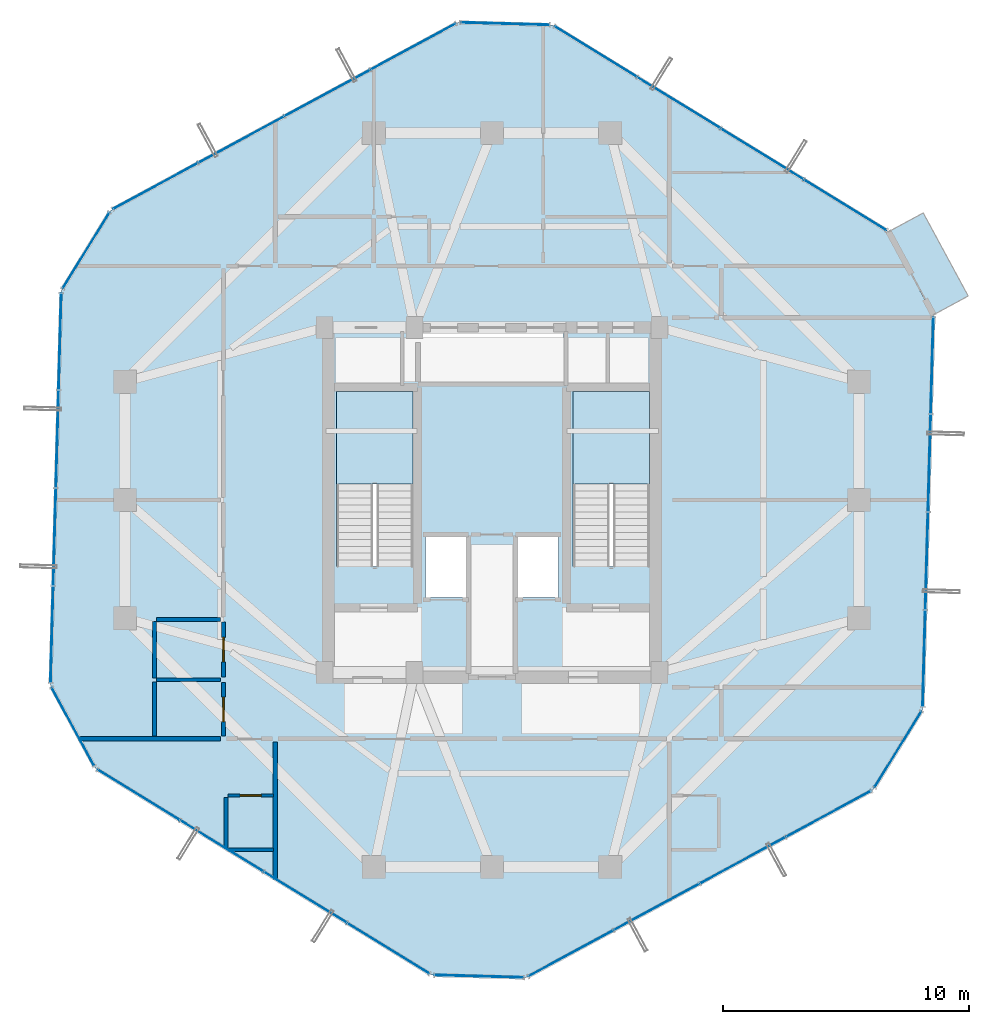
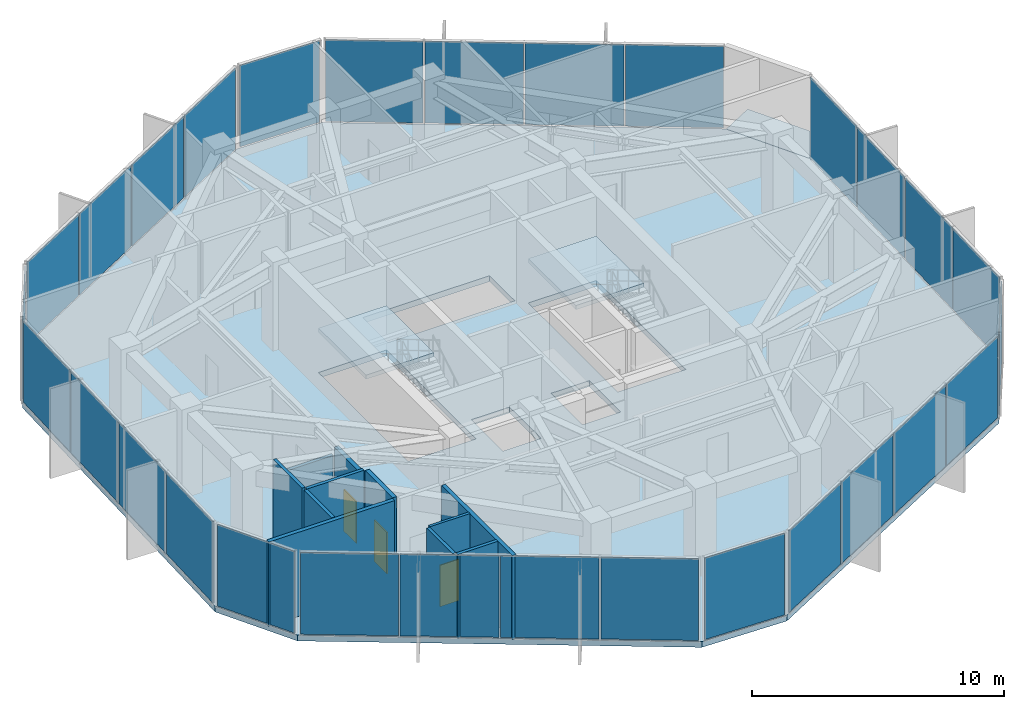
# One storey, part 17 of 22: 29 plates, 11 walls, 4 slabs, 3 doors, 3 openings, 13 elements without a shape of their own.
"""IFC4 building model written with IfcOpenShell, lengths in metres."""

from ifc_helpers import new_model, si_unit, direction, frame, frame_2d, origin, origin_2d, place, context, subcontext, project, spatial, polyline, rectangle, outline, extrude, source, transform, mapped, material, layer, layer_set, type_object, element, fill, aggregate, save


model = new_model("IFC4")

# Units and contexts
model_context = context("Model", 3, precision=1e-05, world=origin(), true_north=direction((0.0, 1.0)))
body_context = subcontext(model_context, "Body", "Model", "MODEL_VIEW")
ifc_project = project(units=[si_unit("LENGTHUNIT", "METRE"), si_unit("AREAUNIT", "SQUARE_METRE"), si_unit("VOLUMEUNIT", "CUBIC_METRE"), si_unit("PLANEANGLEUNIT", "RADIAN"), si_unit("MASSUNIT", "GRAM", prefix="KILO")], contexts=[model_context])

# Site, building, storey
site_placement = place(None, origin())
site = spatial("IfcSite", under=ifc_project, at=site_placement, CompositionType="ELEMENT")
building_placement = place(site_placement, origin())
building = spatial("IfcBuilding", under=site, at=building_placement, Name="Veraguas Prism Commons", CompositionType="ELEMENT")
storey_placement = place(building_placement, frame((0.0, 0.0, 211.35009765625)))
storey = spatial("IfcBuildingStorey", under=building, at=storey_placement, Name="L60", CompositionType="ELEMENT", Elevation=211.35009765625)

# Slab
ifc_material_1 = material(Name="Concrete C45/55", Category="concrete")
ifc_layer_1 = layer(ifc_material_1, 0.280029296875, Name="Community Assembly Floor Slab RC 280", Category="concrete")
ifc_layer_set_1 = layer_set([ifc_layer_1], Name="Concrete C45/55")
slab_type_1 = type_object("IfcSlabType", Name="Community Assembly Floor Slab RC 280", PredefinedType="FLOOR", material=ifc_layer_set_1)
slab_1_placement = place(storey_placement, frame((0.0, 0.0, -0.280029296875)))
element("IfcSlab", 1, at=slab_1_placement, inside=storey, type_object=slab_type_1, Name="Tower Floor Slab L60", PredefinedType="FLOOR", context=body_context, shape_type="SweptSolid", body=[
    extrude(outline(polyline([(41.92431640625, 31.52001953125), (40.099609375, 34.89208984375), (26.44970703125, 43.282958984375), (22.616943359375, 43.388671875), (8.525390625, 35.762939453125), (6.517333984375, 32.49658203125), (6.07568359375, 16.47998046875), (7.900390625, 13.10791015625), (21.55029296875, 4.717041015625), (25.383056640625, 4.611328125), (39.474609375, 12.237060546875), (41.482666015625, 15.50341796875), (41.92431640625, 31.52001953125)]), holes=[polyline([(20.800048828125, 21.31005859375), (20.800048828125, 28.39990234375), (17.68994140625, 28.39990234375), (17.68994140625, 21.31005859375), (20.800048828125, 21.31005859375)]), polyline([(30.39990234375, 21.31005859375), (30.39990234375, 28.39990234375), (27.2900390625, 28.39990234375), (27.2900390625, 21.31005859375), (30.39990234375, 21.31005859375)]), polyline([(21.10009765625, 28.800048828125), (26.89990234375, 28.800048828125), (26.89990234375, 30.800048828125), (21.10009765625, 30.800048828125), (21.10009765625, 28.800048828125)]), polyline([(21.300048828125, 20.050048828125), (23.050048828125, 20.050048828125), (23.050048828125, 22.550048828125), (21.300048828125, 22.550048828125), (21.300048828125, 20.050048828125)]), polyline([(24.949951171875, 20.050048828125), (26.699951171875, 20.050048828125), (26.699951171875, 22.550048828125), (24.949951171875, 22.550048828125), (24.949951171875, 20.050048828125)])]), origin(), (0.0, 0.0, 1.0), 0.280029296875),
])

# Stair, slab
ifc_material_2 = material(Name="Precast concrete C45/55", Category="concrete")
stair_type = type_object("IfcStairType", Name="Dogleg Core Stair 1480W 26R 06", PredefinedType="HALF_TURN_STAIR", material=ifc_material_2)
stair_1_placement = place(storey_placement, origin())
stair_1 = element("IfcStair", 2, at=stair_1_placement, inside=storey, type_object=stair_type, Name="Protected Exit Stair ST-01 L60", PredefinedType="HALF_TURN_STAIR")
ifc_layer_2 = layer(ifc_material_2, 0.199951171875, Name="Precast Stair and Ramp Landing Slab 200", Category="concrete")
ifc_layer_set_2 = layer_set([ifc_layer_2], Name="Precast concrete C45/55")
slab_type_2 = type_object("IfcSlabType", Name="Precast Stair and Ramp Landing Slab 200", PredefinedType="LANDING", material=ifc_layer_set_2)
slab_2_placement = place(storey_placement, frame((0.0, 0.0, 1.949951171875)))
slab_2 = element("IfcSlab", 3, at=slab_2_placement, type_object=slab_type_2, Name="ST-06 Landing 1", PredefinedType="LANDING", context=body_context, shape_type="SweptSolid", body=[
    extrude(outline(polyline([(20.800048828125, 24.639892578125), (20.800048828125, 28.39990234375), (17.68994140625, 28.39990234375), (17.68994140625, 24.639892578125), (20.800048828125, 24.639892578125)])), origin(), (0.0, 0.0, 1.0), 0.199951171875),
])
aggregate(stair_1, [slab_2])

stair_2_placement = place(storey_placement, origin())
stair_2 = element("IfcStair", 4, at=stair_2_placement, inside=storey, type_object=stair_type, Name="Protected Exit Stair ST-02 L60", PredefinedType="HALF_TURN_STAIR")
slab_3_placement = place(storey_placement, frame((0.0, 0.0, 1.949951171875)))
slab_3 = element("IfcSlab", 5, at=slab_3_placement, type_object=slab_type_2, Name="ST-06 Landing 1", PredefinedType="LANDING", context=body_context, shape_type="SweptSolid", body=[
    extrude(outline(polyline([(30.39990234375, 24.639892578125), (30.39990234375, 28.39990234375), (27.2900390625, 28.39990234375), (27.2900390625, 24.639892578125), (30.39990234375, 24.639892578125)])), origin(), (0.0, 0.0, 1.0), 0.199951171875),
])
aggregate(stair_2, [slab_3])

# Slab
ifc_layer_3 = layer(ifc_material_1, 0.219970703125, Name="Recessed Loggia and Terrace Slab RC 220", Category="concrete")
ifc_layer_set_3 = layer_set([ifc_layer_3], Name="Concrete C45/55")
slab_type_3 = type_object("IfcSlabType", Name="Recessed Loggia and Terrace Slab RC 220", PredefinedType="FLOOR", material=ifc_layer_set_3)
slab_4_placement = place(storey_placement, frame((0.0, 0.0, -0.22021484375)))
element("IfcSlab", 6, at=slab_4_placement, inside=storey, type_object=slab_type_3, Name="Recessed Corner Loggia L60-C1", PredefinedType="FLOOR", context=body_context, shape_type="SweptSolid", body=[
    extrude(outline(polyline([(41.90673828125, 31.510498046875), (43.33154296875, 32.281494140625), (41.506591796875, 35.653564453125), (40.081787109375, 34.882568359375), (41.90673828125, 31.510498046875)])), origin(), (0.0, 0.0, 1.0), 0.22021484375),
])

# Curtain wall, plates
ifc_material_3 = material(Name="Anodised aluminium EN AW-6063 T6", Category="aluminium")
ifc_layer_4 = layer(ifc_material_3, 0.199951171875, Name="Sky Lobby and Pool Acoustic Curtain Wall", Category="aluminium")
ifc_layer_set_4 = layer_set([ifc_layer_4], Name="Anodised aluminium EN AW-6063 T6")
curtain_wall_type = type_object("IfcCurtainWallType", Name="Sky Lobby and Pool Acoustic Curtain Wall", PredefinedType="NOTDEFINED", material=ifc_layer_set_4)
curtain_wall_1_placement = place(storey_placement, origin())
curtain_wall_1 = element("IfcCurtainWall", 7, at=curtain_wall_1_placement, inside=storey, type_object=curtain_wall_type, Name="Tower Facade Curtain Wall L60-F1", PredefinedType="NOTDEFINED")
ifc_material_4 = material(Name="Laminated low-e glass", Category="glass")
ifc_layer_5 = layer(ifc_material_4, 0.031982421875, Name="Concourse Acoustic Triple Glazed Panel 32", Category="glass")
ifc_layer_set_5 = layer_set([ifc_layer_5], Name="Laminated low-e glass")
plate_type = type_object("IfcPlateType", Name="Concourse Acoustic Triple Glazed Panel 32", PredefinedType="CURTAIN_PANEL", material=ifc_layer_set_5)
shared_shape_1 = source(origin(), body_context, "Body", "SweptSolid", [
    extrude(rectangle(XDim=3.878173828125, YDim=0.031982421875, at=origin_2d()), origin(), (0.0, 0.0, 1.0), 3.945068359375),
])
plate_1_placement = place(storey_placement, frame((38.341064453125, 35.972900390625, 0.06005859375), z_axis=(0.0, 0.0, 1.0), x_axis=(-0.851908873825, 0.523690052129, 0.0)))
plate_1 = element("IfcPlate", 8, at=plate_1_placement, type_object=plate_type, Name="CW-SKY Panel 1.1", PredefinedType="CURTAIN_PANEL", context=body_context, shape_type="MappedRepresentation", body=[
    mapped(shared_shape_1, transform((0.0, 0.0, 0.0), scale=1.0)),
])
plate_2_placement = place(storey_placement, frame((28.208251953125, 42.201904296875, 0.06005859375), z_axis=(0.0, 0.0, 1.0), x_axis=(-0.851908873825, 0.523690052129, 0.0)))
plate_2 = element("IfcPlate", 9, at=plate_2_placement, type_object=plate_type, Name="CW-SKY Panel 4.1", PredefinedType="CURTAIN_PANEL", context=body_context, shape_type="MappedRepresentation", body=[
    mapped(shared_shape_1, transform((0.0, 0.0, 0.0), scale=1.0)),
])

curtain_wall_2_placement = place(storey_placement, origin())
curtain_wall_2 = element("IfcCurtainWall", 10, at=curtain_wall_2_placement, inside=storey, type_object=curtain_wall_type, Name="Tower Facade Curtain Wall L60-F2", PredefinedType="NOTDEFINED")
plate_3_placement = place(storey_placement, frame((20.801513671875, 42.40625, 0.06005859375), z_axis=(0.0, 0.0, 1.0), x_axis=(-0.879484156418, -0.475928165389, 0.0)))
plate_3 = element("IfcPlate", 11, at=plate_3_placement, type_object=plate_type, Name="CW-SKY Panel 1.1", PredefinedType="CURTAIN_PANEL", context=body_context, shape_type="MappedRepresentation", body=[
    mapped(shared_shape_1, transform((0.0, 0.0, 0.0), scale=1.0)),
])
plate_4_placement = place(storey_placement, frame((10.3408203125, 36.745361328125, 0.06005859375), z_axis=(0.0, 0.0, 1.0), x_axis=(-0.879484156418, -0.475928165389, 0.0)))
plate_4 = element("IfcPlate", 12, at=plate_4_placement, type_object=plate_type, Name="CW-SKY Panel 4.1", PredefinedType="CURTAIN_PANEL", context=body_context, shape_type="MappedRepresentation", body=[
    mapped(shared_shape_1, transform((0.0, 0.0, 0.0), scale=1.0)),
])

curtain_wall_3_placement = place(storey_placement, origin())
curtain_wall_3 = element("IfcCurtainWall", 13, at=curtain_wall_3_placement, inside=storey, type_object=curtain_wall_type, Name="Tower Facade Curtain Wall L60-F3", PredefinedType="NOTDEFINED")
plate_5_placement = place(storey_placement, frame((6.46044921875, 30.43310546875, 0.06005859375), z_axis=(0.0, 0.0, 1.0), x_axis=(-0.027567473277, -0.999619944988, 0.0)))
plate_5 = element("IfcPlate", 14, at=plate_5_placement, type_object=plate_type, Name="CW-SKY Panel 1.1", PredefinedType="CURTAIN_PANEL", context=body_context, shape_type="MappedRepresentation", body=[
    mapped(shared_shape_1, transform((0.0, 0.0, 0.0), scale=1.0)),
])
plate_6_placement = place(storey_placement, frame((6.132568359375, 18.54345703125, 0.06005859375), z_axis=(0.0, 0.0, 1.0), x_axis=(-0.027567473277, -0.999619944988, 0.0)))
plate_6 = element("IfcPlate", 15, at=plate_6_placement, type_object=plate_type, Name="CW-SKY Panel 4.1", PredefinedType="CURTAIN_PANEL", context=body_context, shape_type="MappedRepresentation", body=[
    mapped(shared_shape_1, transform((0.0, 0.0, 0.0), scale=1.0)),
])

curtain_wall_4_placement = place(storey_placement, origin())
curtain_wall_4 = element("IfcCurtainWall", 16, at=curtain_wall_4_placement, inside=storey, type_object=curtain_wall_type, Name="Tower Facade Curtain Wall L60-F4", PredefinedType="NOTDEFINED")
plate_7_placement = place(storey_placement, frame((9.658935546875, 12.027099609375, 0.06005859375), z_axis=(0.0, 0.0, 1.0), x_axis=(0.851908873825, -0.523690052129, 0.0)))
plate_7 = element("IfcPlate", 17, at=plate_7_placement, type_object=plate_type, Name="CW-SKY Panel 1.1", PredefinedType="CURTAIN_PANEL", context=body_context, shape_type="MappedRepresentation", body=[
    mapped(shared_shape_1, transform((0.0, 0.0, 0.0), scale=1.0)),
])
plate_8_placement = place(storey_placement, frame((19.791748046875, 5.798095703125, 0.06005859375), z_axis=(0.0, 0.0, 1.0), x_axis=(0.851908873825, -0.523690052129, 0.0)))
plate_8 = element("IfcPlate", 18, at=plate_8_placement, type_object=plate_type, Name="CW-SKY Panel 4.1", PredefinedType="CURTAIN_PANEL", context=body_context, shape_type="MappedRepresentation", body=[
    mapped(shared_shape_1, transform((0.0, 0.0, 0.0), scale=1.0)),
])

curtain_wall_5_placement = place(storey_placement, origin())
curtain_wall_5 = element("IfcCurtainWall", 19, at=curtain_wall_5_placement, inside=storey, type_object=curtain_wall_type, Name="Tower Facade Curtain Wall L60-F5", PredefinedType="NOTDEFINED")
plate_9_placement = place(storey_placement, frame((27.198486328125, 5.59375, 0.06005859375), z_axis=(0.0, 0.0, 1.0), x_axis=(0.879484156418, 0.475928165389, 0.0)))
plate_9 = element("IfcPlate", 20, at=plate_9_placement, type_object=plate_type, Name="CW-SKY Panel 1.1", PredefinedType="CURTAIN_PANEL", context=body_context, shape_type="MappedRepresentation", body=[
    mapped(shared_shape_1, transform((0.0, 0.0, 0.0), scale=1.0)),
])
plate_10_placement = place(storey_placement, frame((37.6591796875, 11.254638671875, 0.06005859375), z_axis=(0.0, 0.0, 1.0), x_axis=(0.879484156418, 0.475928165389, 0.0)))
plate_10 = element("IfcPlate", 21, at=plate_10_placement, type_object=plate_type, Name="CW-SKY Panel 4.1", PredefinedType="CURTAIN_PANEL", context=body_context, shape_type="MappedRepresentation", body=[
    mapped(shared_shape_1, transform((0.0, 0.0, 0.0), scale=1.0)),
])

curtain_wall_6_placement = place(storey_placement, origin())
curtain_wall_6 = element("IfcCurtainWall", 22, at=curtain_wall_6_placement, inside=storey, type_object=curtain_wall_type, Name="Tower Facade Curtain Wall L60-F6", PredefinedType="NOTDEFINED")
plate_11_placement = place(storey_placement, frame((41.53955078125, 17.56689453125, 0.06005859375), z_axis=(0.0, 0.0, 1.0), x_axis=(0.027567473277, 0.999619944988, 0.0)))
plate_11 = element("IfcPlate", 23, at=plate_11_placement, type_object=plate_type, Name="CW-SKY Panel 1.1", PredefinedType="CURTAIN_PANEL", context=body_context, shape_type="MappedRepresentation", body=[
    mapped(shared_shape_1, transform((0.0, 0.0, 0.0), scale=1.0)),
])
plate_12_placement = place(storey_placement, frame((41.867431640625, 29.45654296875, 0.06005859375), z_axis=(0.0, 0.0, 1.0), x_axis=(0.027567473277, 0.999619944988, 0.0)))
plate_12 = element("IfcPlate", 24, at=plate_12_placement, type_object=plate_type, Name="CW-SKY Panel 4.1", PredefinedType="CURTAIN_PANEL", context=body_context, shape_type="MappedRepresentation", body=[
    mapped(shared_shape_1, transform((0.0, 0.0, 0.0), scale=1.0)),
])

# Plate
shared_shape_2 = source(origin(), body_context, "Body", "SweptSolid", [
    extrude(rectangle(XDim=3.91064453125, YDim=0.031982421875, at=origin_2d()), origin(), (0.0, 0.0, 1.0), 3.945068359375),
])
plate_13_placement = place(storey_placement, frame((34.968017578125, 38.04638671875, 0.06005859375), z_axis=(0.0, 0.0, 1.0), x_axis=(-0.851908873825, 0.523690052129, 0.0)))
plate_13 = element("IfcPlate", 25, at=plate_13_placement, type_object=plate_type, Name="CW-SKY Panel 2.1", PredefinedType="CURTAIN_PANEL", context=body_context, shape_type="MappedRepresentation", body=[
    mapped(shared_shape_2, transform((0.0, 0.0, 0.0), scale=1.0)),
])

plate_14_placement = place(storey_placement, frame((31.581298828125, 40.12841796875, 0.06005859375), z_axis=(0.0, 0.0, 1.0), x_axis=(-0.851908873825, 0.523690052129, 0.0)))
plate_14 = element("IfcPlate", 26, at=plate_14_placement, type_object=plate_type, Name="CW-SKY Panel 3.1", PredefinedType="CURTAIN_PANEL", context=body_context, shape_type="MappedRepresentation", body=[
    mapped(shared_shape_2, transform((0.0, 0.0, 0.0), scale=1.0)),
])

aggregate(curtain_wall_1, [plate_1, plate_13, plate_14, plate_2])

plate_15_placement = place(storey_placement, frame((17.3193359375, 40.521728515625, 0.06005859375), z_axis=(0.0, 0.0, 1.0), x_axis=(-0.879484156418, -0.475928165389, 0.0)))
plate_15 = element("IfcPlate", 27, at=plate_15_placement, type_object=plate_type, Name="CW-SKY Panel 2.1", PredefinedType="CURTAIN_PANEL", context=body_context, shape_type="MappedRepresentation", body=[
    mapped(shared_shape_2, transform((0.0, 0.0, 0.0), scale=1.0)),
])

plate_16_placement = place(storey_placement, frame((13.822998046875, 38.629638671875, 0.06005859375), z_axis=(0.0, 0.0, 1.0), x_axis=(-0.879484156418, -0.475928165389, 0.0)))
plate_16 = element("IfcPlate", 28, at=plate_16_placement, type_object=plate_type, Name="CW-SKY Panel 3.1", PredefinedType="CURTAIN_PANEL", context=body_context, shape_type="MappedRepresentation", body=[
    mapped(shared_shape_2, transform((0.0, 0.0, 0.0), scale=1.0)),
])

aggregate(curtain_wall_2, [plate_3, plate_15, plate_16, plate_4])

plate_17_placement = place(storey_placement, frame((6.351318359375, 26.475341796875, 0.06005859375), z_axis=(0.0, 0.0, 1.0), x_axis=(-0.027567473277, -0.999619944988, 0.0)))
plate_17 = element("IfcPlate", 29, at=plate_17_placement, type_object=plate_type, Name="CW-SKY Panel 2.1", PredefinedType="CURTAIN_PANEL", context=body_context, shape_type="MappedRepresentation", body=[
    mapped(shared_shape_2, transform((0.0, 0.0, 0.0), scale=1.0)),
])

plate_18_placement = place(storey_placement, frame((6.24169921875, 22.501220703125, 0.06005859375), z_axis=(0.0, 0.0, 1.0), x_axis=(-0.027567473277, -0.999619944988, 0.0)))
plate_18 = element("IfcPlate", 30, at=plate_18_placement, type_object=plate_type, Name="CW-SKY Panel 3.1", PredefinedType="CURTAIN_PANEL", context=body_context, shape_type="MappedRepresentation", body=[
    mapped(shared_shape_2, transform((0.0, 0.0, 0.0), scale=1.0)),
])

aggregate(curtain_wall_3, [plate_5, plate_17, plate_18, plate_6])

plate_19_placement = place(storey_placement, frame((13.031982421875, 9.95361328125, 0.06005859375), z_axis=(0.0, 0.0, 1.0), x_axis=(0.851908873825, -0.523690052129, 0.0)))
plate_19 = element("IfcPlate", 31, at=plate_19_placement, type_object=plate_type, Name="CW-SKY Panel 2.1", PredefinedType="CURTAIN_PANEL", context=body_context, shape_type="MappedRepresentation", body=[
    mapped(shared_shape_2, transform((0.0, 0.0, 0.0), scale=1.0)),
])

plate_20_placement = place(storey_placement, frame((16.418701171875, 7.87158203125, 0.06005859375), z_axis=(0.0, 0.0, 1.0), x_axis=(0.851908873825, -0.523690052129, 0.0)))
plate_20 = element("IfcPlate", 32, at=plate_20_placement, type_object=plate_type, Name="CW-SKY Panel 3.1", PredefinedType="CURTAIN_PANEL", context=body_context, shape_type="MappedRepresentation", body=[
    mapped(shared_shape_2, transform((0.0, 0.0, 0.0), scale=1.0)),
])

aggregate(curtain_wall_4, [plate_7, plate_19, plate_20, plate_8])

plate_21_placement = place(storey_placement, frame((30.6806640625, 7.478271484375, 0.06005859375), z_axis=(0.0, 0.0, 1.0), x_axis=(0.879484156418, 0.475928165389, 0.0)))
plate_21 = element("IfcPlate", 33, at=plate_21_placement, type_object=plate_type, Name="CW-SKY Panel 2.1", PredefinedType="CURTAIN_PANEL", context=body_context, shape_type="MappedRepresentation", body=[
    mapped(shared_shape_2, transform((0.0, 0.0, 0.0), scale=1.0)),
])

plate_22_placement = place(storey_placement, frame((34.177001953125, 9.370361328125, 0.06005859375), z_axis=(0.0, 0.0, 1.0), x_axis=(0.879484156418, 0.475928165389, 0.0)))
plate_22 = element("IfcPlate", 34, at=plate_22_placement, type_object=plate_type, Name="CW-SKY Panel 3.1", PredefinedType="CURTAIN_PANEL", context=body_context, shape_type="MappedRepresentation", body=[
    mapped(shared_shape_2, transform((0.0, 0.0, 0.0), scale=1.0)),
])

aggregate(curtain_wall_5, [plate_9, plate_21, plate_22, plate_10])

plate_23_placement = place(storey_placement, frame((41.648681640625, 21.524658203125, 0.06005859375), z_axis=(0.0, 0.0, 1.0), x_axis=(0.027567473277, 0.999619944988, 0.0)))
plate_23 = element("IfcPlate", 35, at=plate_23_placement, type_object=plate_type, Name="CW-SKY Panel 2.1", PredefinedType="CURTAIN_PANEL", context=body_context, shape_type="MappedRepresentation", body=[
    mapped(shared_shape_2, transform((0.0, 0.0, 0.0), scale=1.0)),
])

plate_24_placement = place(storey_placement, frame((41.75830078125, 25.498779296875, 0.06005859375), z_axis=(0.0, 0.0, 1.0), x_axis=(0.027567473277, 0.999619944988, 0.0)))
plate_24 = element("IfcPlate", 36, at=plate_24_placement, type_object=plate_type, Name="CW-SKY Panel 3.1", PredefinedType="CURTAIN_PANEL", context=body_context, shape_type="MappedRepresentation", body=[
    mapped(shared_shape_2, transform((0.0, 0.0, 0.0), scale=1.0)),
])

aggregate(curtain_wall_6, [plate_11, plate_23, plate_24, plate_12])

# Curtain wall, plate
curtain_wall_7_placement = place(storey_placement, origin())
curtain_wall_7 = element("IfcCurtainWall", 37, at=curtain_wall_7_placement, inside=storey, type_object=curtain_wall_type, Name="Chamfer Curtain Wall L60-C2", PredefinedType="NOTDEFINED")
shared_shape_3 = source(origin(), body_context, "Body", "SweptSolid", [
    extrude(rectangle(XDim=3.584228515625, YDim=0.031982421875, at=origin_2d()), origin(), (0.0, 0.0, 1.0), 3.945068359375),
])
plate_25_placement = place(storey_placement, frame((24.533447265625, 43.335693359375, 0.06005859375), z_axis=(0.0, 0.0, 1.0), x_axis=(-0.99962066636, 0.027541303279, 0.0)))
plate_25 = element("IfcPlate", 38, at=plate_25_placement, type_object=plate_type, Name="CW-SKY Panel 1.1", PredefinedType="CURTAIN_PANEL", context=body_context, shape_type="MappedRepresentation", body=[
    mapped(shared_shape_3, transform((0.0, 0.0, 0.0), scale=1.0)),
])
aggregate(curtain_wall_7, [plate_25])

curtain_wall_8_placement = place(storey_placement, origin())
curtain_wall_8 = element("IfcCurtainWall", 39, at=curtain_wall_8_placement, inside=storey, type_object=curtain_wall_type, Name="Chamfer Curtain Wall L60-C4", PredefinedType="NOTDEFINED")
plate_26_placement = place(storey_placement, frame((6.988037109375, 14.7939453125, 0.06005859375), z_axis=(0.0, 0.0, 1.0), x_axis=(0.475928165389, -0.879484156418, 0.0)))
plate_26 = element("IfcPlate", 40, at=plate_26_placement, type_object=plate_type, Name="CW-SKY Panel 1.1", PredefinedType="CURTAIN_PANEL", context=body_context, shape_type="MappedRepresentation", body=[
    mapped(shared_shape_3, transform((0.0, 0.0, 0.0), scale=1.0)),
])
aggregate(curtain_wall_8, [plate_26])

curtain_wall_9_placement = place(storey_placement, origin())
curtain_wall_9 = element("IfcCurtainWall", 41, at=curtain_wall_9_placement, inside=storey, type_object=curtain_wall_type, Name="Chamfer Curtain Wall L60-C5", PredefinedType="NOTDEFINED")
plate_27_placement = place(storey_placement, frame((23.466552734375, 4.664306640625, 0.06005859375), z_axis=(0.0, 0.0, 1.0), x_axis=(0.99962066636, -0.027541303279, 0.0)))
plate_27 = element("IfcPlate", 42, at=plate_27_placement, type_object=plate_type, Name="CW-SKY Panel 1.1", PredefinedType="CURTAIN_PANEL", context=body_context, shape_type="MappedRepresentation", body=[
    mapped(shared_shape_3, transform((0.0, 0.0, 0.0), scale=1.0)),
])
aggregate(curtain_wall_9, [plate_27])

curtain_wall_10_placement = place(storey_placement, origin())
curtain_wall_10 = element("IfcCurtainWall", 43, at=curtain_wall_10_placement, inside=storey, type_object=curtain_wall_type, Name="Chamfer Curtain Wall L60-C3", PredefinedType="NOTDEFINED")
shared_shape_4 = source(origin(), body_context, "Body", "SweptSolid", [
    extrude(rectangle(XDim=3.58447265625, YDim=0.031982421875, at=origin_2d()), origin(), (0.0, 0.0, 1.0), 3.945068359375),
])
plate_28_placement = place(storey_placement, frame((7.521484375, 34.129638671875, 0.06005859375), z_axis=(0.0, 0.0, 1.0), x_axis=(-0.523694512706, -0.851906131778, 0.0)))
plate_28 = element("IfcPlate", 44, at=plate_28_placement, type_object=plate_type, Name="CW-SKY Panel 1.1", PredefinedType="CURTAIN_PANEL", context=body_context, shape_type="MappedRepresentation", body=[
    mapped(shared_shape_4, transform((0.0, 0.0, 0.0), scale=1.0)),
])
aggregate(curtain_wall_10, [plate_28])

curtain_wall_11_placement = place(storey_placement, origin())
curtain_wall_11 = element("IfcCurtainWall", 45, at=curtain_wall_11_placement, inside=storey, type_object=curtain_wall_type, Name="Chamfer Curtain Wall L60-C6", PredefinedType="NOTDEFINED")
plate_29_placement = place(storey_placement, frame((40.478515625, 13.870361328125, 0.06005859375), z_axis=(0.0, 0.0, 1.0), x_axis=(0.523694512706, 0.851906131778, 0.0)))
plate_29 = element("IfcPlate", 46, at=plate_29_placement, type_object=plate_type, Name="CW-SKY Panel 1.1", PredefinedType="CURTAIN_PANEL", context=body_context, shape_type="MappedRepresentation", body=[
    mapped(shared_shape_4, transform((0.0, 0.0, 0.0), scale=1.0)),
])
aggregate(curtain_wall_11, [plate_29])

# Walls
ifc_material_5 = material(Name="Autoclaved aerated masonry block 10 MPa", Category="masonry")
ifc_layer_6 = layer(ifc_material_5, 0.179931640625, Name="Corridor and Inter-Tenancy Partition 180", Category="masonry")
ifc_layer_set_6 = layer_set([ifc_layer_6], Name="Autoclaved aerated masonry block 10 MPa")
wall_type_1 = type_object("IfcWallType", Name="Corridor and Inter-Tenancy Partition 180", PredefinedType="PARTITIONING", material=ifc_layer_set_6)
wall_1_placement = place(storey_placement, frame((15.199951171875, 14.179931640625, 0.0), z_axis=(0.0, 0.0, 1.0), x_axis=(0.0, -1.0, 0.0)))
element("IfcWall", 47, at=wall_1_placement, inside=storey, type_object=wall_type_1, Name="WL-L60-PT001", PredefinedType="PARTITIONING", context=body_context, shape_type="SweptSolid", body=[
    extrude(rectangle(XDim=5.594482421875, YDim=0.179931640625, at=frame_2d((2.79736328125, 0.0))), origin(), (0.0, 0.0, 1.0), 4.06494140625),
])
wall_2_placement = place(storey_placement, frame((12.97998046875, 14.300048828125, 0.0), z_axis=(0.0, 0.0, 1.0), x_axis=(-1.0, 0.0, 0.0)))
element("IfcWall", 48, at=wall_2_placement, inside=storey, type_object=wall_type_1, Name="WL-L60-PT017", PredefinedType="PARTITIONING", context=body_context, shape_type="SweptSolid", body=[
    extrude(rectangle(XDim=5.7587890625, YDim=0.179931640625, at=frame_2d((2.87939453125, 0.0))), origin(), (0.0, 0.0, 1.0), 4.06494140625),
])

# Wall, opening, door
wall_3_placement = place(storey_placement, frame((13.10009765625, 14.409912109375, 0.0), z_axis=(0.0, 0.0, 1.0), x_axis=(0.0, 1.0, 0.0)))
wall_3 = element("IfcWall", 49, at=wall_3_placement, inside=storey, type_object=wall_type_1, Name="WL-L60-PT019", PredefinedType="PARTITIONING", context=body_context, shape_type="SweptSolid", body=[
    extrude(rectangle(XDim=2.18017578125, YDim=0.179931640625, at=frame_2d((1.090087890625, 0.0))), origin(), (0.0, 0.0, 1.0), 4.06494140625),
])
opening_1_placement = place(wall_3_placement, frame((0.590087890625, 0.0, 0.0)))
opening_1 = element("IfcOpeningElement", 50, at=opening_1_placement, cuts=wall_3, Name="Opening DR-13", PredefinedType="OPENING", context=body_context, shape_type="SweptSolid", body=[
    extrude(rectangle(XDim=1.0, YDim=2.010009765625, at=frame_2d((0.5, 1.0048828125))), frame((0.0, 0.099853515625, 0.0), z_axis=(0.0, -1.0, 0.0), x_axis=(1.0, 0.0, 0.0)), (0.0, 0.0, 1.0), 0.199951171875),
])
ifc_material_6 = material(Name="Steel fire-rated door assembly", Category="steel")
door_type_1 = type_object("IfcDoorType", Name="Core Accessible WC and Clinic Fire Door 1000x2010", OperationType="NOTDEFINED", PredefinedType="DOOR", material=ifc_material_6)
shared_shape_5 = source(origin(), body_context, "Body", "SweptSolid", [
    extrude(rectangle(XDim=1.0, YDim=2.010009765625, at=frame_2d((0.5, 1.0048828125))), frame((0.0, 0.02490234375, 0.0), z_axis=(0.0, -1.0, 0.0), x_axis=(1.0, 0.0, 0.0)), (0.0, 0.0, 1.0), 0.050048828125),
])
door_1_placement = place(opening_1_placement, origin())
door_1 = element("IfcDoor", 51, at=door_1_placement, inside=storey, type_object=door_type_1, Name="Public WC L60 Door", OperationType="SINGLE_SWING_RIGHT", OverallHeight=2.010009765625, OverallWidth=1.0, PredefinedType="DOOR", context=body_context, shape_type="MappedRepresentation", body=[
    mapped(shared_shape_5, transform((0.0, 0.0, 0.0), scale=1.0)),
])
fill(opening_1, door_1)

wall_4_placement = place(storey_placement, frame((13.10009765625, 16.81005859375, 0.0), z_axis=(0.0, 0.0, 1.0), x_axis=(0.0, 1.0, 0.0)))
wall_4 = element("IfcWall", 52, at=wall_4_placement, inside=storey, type_object=wall_type_1, Name="WL-L60-PT020", PredefinedType="PARTITIONING", context=body_context, shape_type="SweptSolid", body=[
    extrude(rectangle(XDim=2.22998046875, YDim=0.179931640625, at=frame_2d((1.114990234375, 0.0))), origin(), (0.0, 0.0, 1.0), 3.7119140625),
])
opening_2_placement = place(wall_4_placement, frame((0.614990234375, 0.0, 0.0)))
opening_2 = element("IfcOpeningElement", 53, at=opening_2_placement, cuts=wall_4, Name="Opening DR-13", PredefinedType="OPENING", context=body_context, shape_type="SweptSolid", body=[
    extrude(rectangle(XDim=1.0, YDim=2.010009765625, at=frame_2d((0.5, 1.0048828125))), frame((0.0, 0.099853515625, 0.0), z_axis=(0.0, -1.0, 0.0), x_axis=(1.0, 0.0, 0.0)), (0.0, 0.0, 1.0), 0.199951171875),
])
door_2_placement = place(opening_2_placement, origin())
door_2 = element("IfcDoor", 54, at=door_2_placement, inside=storey, type_object=door_type_1, Name="Accessible WC L60 Door", OperationType="SINGLE_SWING_LEFT", OverallHeight=2.010009765625, OverallWidth=1.0, PredefinedType="DOOR", context=body_context, shape_type="MappedRepresentation", body=[
    mapped(shared_shape_5, transform((0.0, 0.0, 0.0), scale=1.0)),
])
fill(opening_2, door_2)

ifc_material_7 = material(Name="Lightweight acoustic gypsum board")
ifc_layer_7 = layer(ifc_material_7, 0.125, Name="Internal Apartment Room Partition 125")
ifc_layer_set_7 = layer_set([ifc_layer_7], Name="Lightweight acoustic gypsum board")
wall_type_2 = type_object("IfcWallType", Name="Internal Apartment Room Partition 125", PredefinedType="PARTITIONING", material=ifc_layer_set_7)
wall_5_placement = place(storey_placement, frame((13.280029296875, 12.0, 0.0), z_axis=(0.0, 0.0, 1.0), x_axis=(1.0, 0.0, 0.0)))
wall_5 = element("IfcWall", 55, at=wall_5_placement, inside=storey, type_object=wall_type_2, Name="WL-L60-PT036", PredefinedType="PARTITIONING", context=body_context, shape_type="SweptSolid", body=[
    extrude(rectangle(XDim=1.840087890625, YDim=0.125, at=frame_2d((0.919921875, 0.0))), origin(), (0.0, 0.0, 1.0), 4.06494140625),
])
opening_3_placement = place(wall_5_placement, frame((0.489990234375, 0.0, 0.0)))
opening_3 = element("IfcOpeningElement", 56, at=opening_3_placement, cuts=wall_5, Name="Opening DR-03", PredefinedType="OPENING", context=body_context, shape_type="SweptSolid", body=[
    extrude(rectangle(XDim=0.860107421875, YDim=2.010009765625, at=frame_2d((0.43017578125, 1.0048828125))), frame((0.0, 0.072509765625, 0.0), z_axis=(0.0, -1.0, 0.0), x_axis=(1.0, 0.0, 0.0)), (0.0, 0.0, 1.0), 0.14501953125),
])
ifc_material_8 = material(Name="Timber moisture-resistant leaf", Category="wood")
door_type_2 = type_object("IfcDoorType", Name="Internal Bathroom Door 860x2010", OperationType="NOTDEFINED", PredefinedType="DOOR", material=ifc_material_8)
shared_shape_6 = source(origin(), body_context, "Body", "SweptSolid", [
    extrude(rectangle(XDim=0.860107421875, YDim=2.010009765625, at=frame_2d((0.43017578125, 1.0048828125))), frame((0.0, 0.02490234375, 0.0), z_axis=(0.0, -1.0, 0.0), x_axis=(1.0, 0.0, 0.0)), (0.0, 0.0, 1.0), 0.050048828125),
])
door_3_placement = place(opening_3_placement, origin())
door_3 = element("IfcDoor", 57, at=door_3_placement, inside=storey, type_object=door_type_2, Name="Studio 60B Bathroom Door", OperationType="SINGLE_SWING_LEFT", OverallHeight=2.010009765625, OverallWidth=0.860107421875, PredefinedType="DOOR", context=body_context, shape_type="MappedRepresentation", body=[
    mapped(shared_shape_6, transform((0.0, 0.0, 0.0), scale=1.0)),
])
fill(opening_3, door_3)

# Walls
ifc_layer_8 = layer(ifc_material_7, 0.14990234375, Name="Wet Room and Clinic Acoustic Partition 150")
ifc_layer_set_8 = layer_set([ifc_layer_8], Name="Lightweight acoustic gypsum board")
wall_type_3 = type_object("IfcWallType", Name="Wet Room and Clinic Acoustic Partition 150", PredefinedType="PARTITIONING", material=ifc_layer_set_8)
wall_6_placement = place(storey_placement, frame((12.97998046875, 16.699951171875, 0.0), z_axis=(0.0, 0.0, 1.0), x_axis=(-1.0, 0.0, 0.0)))
element("IfcWall", 58, at=wall_6_placement, inside=storey, type_object=wall_type_3, Name="WL-L60-PT023", PredefinedType="PARTITIONING", context=body_context, shape_type="SweptSolid", body=[
    extrude(rectangle(XDim=2.60009765625, YDim=0.14990234375, at=frame_2d((1.300048828125, 0.0))), origin(), (0.0, 0.0, 1.0), 4.06494140625),
])
wall_7_placement = place(storey_placement, frame((12.97998046875, 19.14990234375, 0.0), z_axis=(0.0, 0.0, 1.0), x_axis=(-1.0, 0.0, 0.0)))
element("IfcWall", 59, at=wall_7_placement, inside=storey, type_object=wall_type_3, Name="WL-L60-PT024", PredefinedType="PARTITIONING", context=body_context, shape_type="SweptSolid", body=[
    extrude(rectangle(XDim=2.60009765625, YDim=0.14990234375, at=frame_2d((1.300048828125, 0.0))), origin(), (0.0, 0.0, 1.0), 3.285888671875),
])
wall_8_placement = place(storey_placement, frame((10.300048828125, 14.419921875, 0.0), z_axis=(0.0, 0.0, 1.0), x_axis=(0.0, 1.0, 0.0)))
element("IfcWall", 60, at=wall_8_placement, inside=storey, type_object=wall_type_3, Name="WL-L60-PT025", PredefinedType="PARTITIONING", context=body_context, shape_type="SweptSolid", body=[
    extrude(rectangle(XDim=2.2001953125, YDim=0.14990234375, at=frame_2d((1.10009765625, 0.0))), origin(), (0.0, 0.0, 1.0), 4.06494140625),
])
wall_9_placement = place(storey_placement, frame((10.300048828125, 16.780029296875, 0.0), z_axis=(0.0, 0.0, 1.0), x_axis=(0.0, 1.0, 0.0)))
element("IfcWall", 61, at=wall_9_placement, inside=storey, type_object=wall_type_3, Name="WL-L60-PT026", PredefinedType="PARTITIONING", context=body_context, shape_type="SweptSolid", body=[
    extrude(rectangle(XDim=2.2900390625, YDim=0.14990234375, at=frame_2d((1.14501953125, 0.0))), origin(), (0.0, 0.0, 1.0), 4.06494140625),
])
wall_10_placement = place(storey_placement, frame((13.280029296875, 9.800048828125, 0.0), z_axis=(0.0, 0.0, 1.0), x_axis=(1.0, 0.0, 0.0)))
element("IfcWall", 62, at=wall_10_placement, inside=storey, type_object=wall_type_3, Name="WL-L60-PT037", PredefinedType="PARTITIONING", context=body_context, shape_type="SweptSolid", body=[
    extrude(rectangle(XDim=1.840087890625, YDim=0.14990234375, at=frame_2d((0.919921875, 0.0))), origin(), (0.0, 0.0, 1.0), 4.06494140625),
])
wall_11_placement = place(storey_placement, frame((13.199951171875, 9.8798828125, 0.0), z_axis=(0.0, 0.0, 1.0), x_axis=(0.0, 1.0, 0.0)))
element("IfcWall", 63, at=wall_11_placement, inside=storey, type_object=wall_type_3, Name="WL-L60-PT038", PredefinedType="PARTITIONING", context=body_context, shape_type="SweptSolid", body=[
    extrude(rectangle(XDim=2.0400390625, YDim=0.14990234375, at=frame_2d((1.02001953125, 0.0))), origin(), (0.0, 0.0, 1.0), 4.06494140625),
])

save(model, "model.ifc")
